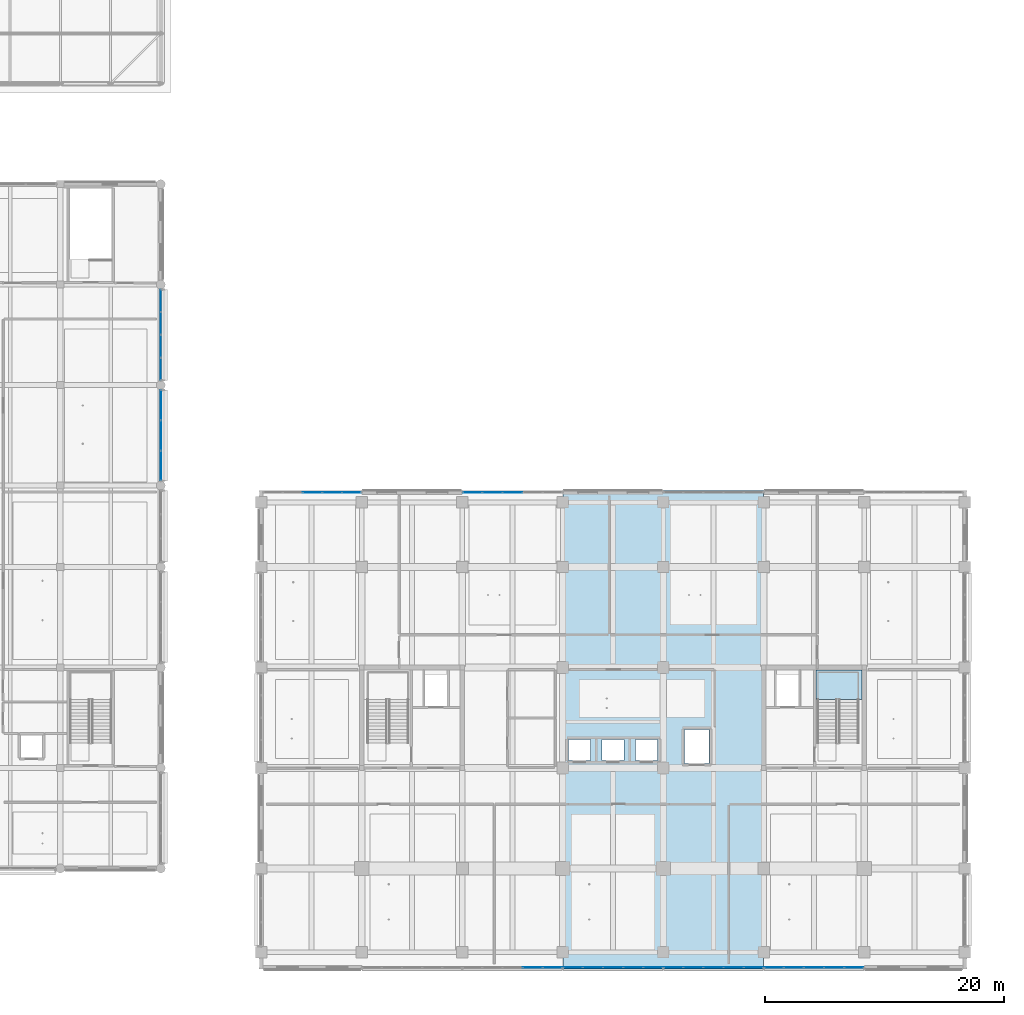
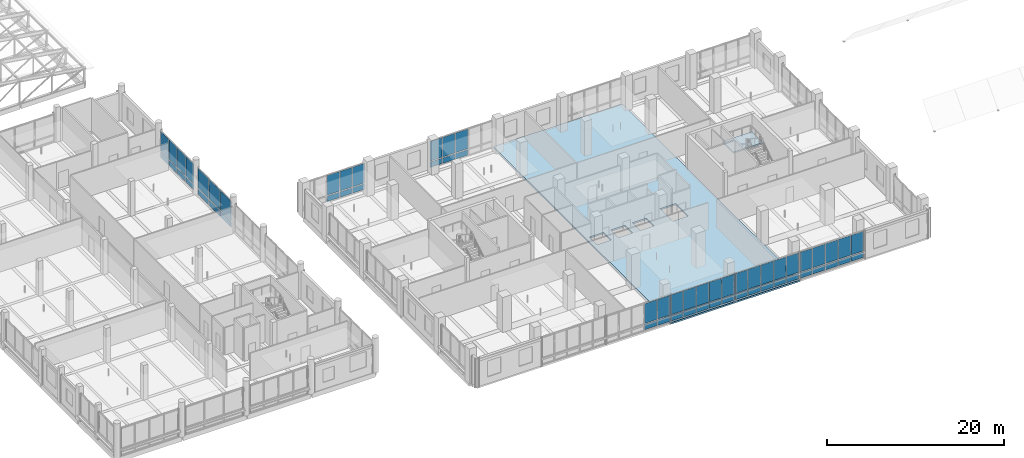
# One storey, part 44 of 122: 60 plates, 2 slabs, 9 elements without a shape of their own.
"""IFC4 building model written with IfcOpenShell, lengths in metres."""

from ifc_helpers import new_model, si_unit, direction, frame, origin, origin_2d, place, context, subcontext, project, spatial, polyline, rectangle, outline, extrude, material, layer, layer_set, type_object, element, aggregate, save


model = new_model("IFC4")

# Units and contexts
model_context = context("Model", 3, precision=1e-05, world=origin(), true_north=direction((0.0, 1.0)))
body_context = subcontext(model_context, "Body", "Model", "MODEL_VIEW")
ifc_project = project(units=[si_unit("LENGTHUNIT", "METRE"), si_unit("AREAUNIT", "SQUARE_METRE"), si_unit("VOLUMEUNIT", "CUBIC_METRE"), si_unit("PLANEANGLEUNIT", "RADIAN"), si_unit("MASSUNIT", "GRAM", prefix="KILO")], contexts=[model_context])

# Site, building, storey
site_placement = place(None, origin())
site = spatial("IfcSite", under=ifc_project, at=site_placement, CompositionType="ELEMENT")
building_placement = place(site_placement, origin())
building = spatial("IfcBuilding", under=site, at=building_placement, Name="Telukmera Botanical Conservatory", CompositionType="ELEMENT")
storey_placement = place(building_placement, frame((0.0, 0.0, 10.199951171875)))
storey = spatial("IfcBuildingStorey", under=building, at=storey_placement, Name="L02", CompositionType="ELEMENT", Elevation=10.199951171875)

# Stair, slab
ifc_material_1 = material(Name="Concrete C40/50", Category="concrete")
stair_type = type_object("IfcStairType", Name="ST-ESC-4800", PredefinedType="HALF_TURN_STAIR", material=ifc_material_1)
stair_placement = place(storey_placement, origin())
stair = element("IfcStair", 1, at=stair_placement, inside=storey, type_object=stair_type, Name="L02 Protected Escape Stair ST2", PredefinedType="HALF_TURN_STAIR")
ifc_layer_1 = layer(ifc_material_1, 0.199951171875)
ifc_layer_set_1 = layer_set([ifc_layer_1], Name="Concrete C40/50")
slab_type_1 = type_object("IfcSlabType", Name="SL-LAND-200", PredefinedType="LANDING", material=ifc_layer_set_1)
slab_1_placement = place(storey_placement, frame((0.0, 0.0, 2.199951171875)))
slab_1 = element("IfcSlab", 2, at=slab_1_placement, type_object=slab_type_1, Name="ST2 landing 1", PredefinedType="LANDING", context=body_context, shape_type="SweptSolid", body=[
    extrude(outline(polyline([(96.7548828125, 31.72998046875), (100.594970703125, 31.72998046875), (100.594970703125, 34.195068359375), (96.7548828125, 34.195068359375), (96.7548828125, 31.72998046875)])), origin(), (0.0, 0.0, 1.0), 0.2001953125),
])
aggregate(stair, [slab_1])

# Slab
ifc_layer_2 = layer(ifc_material_1, 0.219970703125)
ifc_layer_set_2 = layer_set([ifc_layer_2], Name="Concrete C40/50")
slab_type_2 = type_object("IfcSlabType", Name="Slab_FS22", PredefinedType="FLOOR", material=ifc_layer_set_2)
slab_2_placement = place(storey_placement, frame((0.0, 0.0, -0.219970703125)))
element("IfcSlab", 3, at=slab_2_placement, inside=storey, type_object=slab_type_2, Name="Tower Floor Slab L02 (CENT)", PredefinedType="FLOOR", context=body_context, shape_type="SweptSolid", body=[
    extrude(outline(polyline([(75.60009765625, 9.199951171875), (92.39990234375, 9.199951171875), (92.39990234375, 49.199951171875), (75.60009765625, 49.199951171875), (75.60009765625, 9.199951171875)]), holes=[polyline([(85.780029296875, 26.3798828125), (87.820068359375, 26.3798828125), (87.820068359375, 29.219970703125), (85.780029296875, 29.219970703125), (85.780029296875, 26.3798828125)]), polyline([(76.080078125, 26.6298828125), (77.919921875, 26.6298828125), (77.919921875, 28.3701171875), (76.080078125, 28.3701171875), (76.080078125, 26.6298828125)]), polyline([(78.8798828125, 26.6298828125), (80.719970703125, 26.6298828125), (80.719970703125, 28.3701171875), (78.8798828125, 28.3701171875), (78.8798828125, 26.6298828125)]), polyline([(81.679931640625, 26.6298828125), (83.52001953125, 26.6298828125), (83.52001953125, 28.3701171875), (81.679931640625, 28.3701171875), (81.679931640625, 26.6298828125)])]), origin(), (0.0, 0.0, 1.0), 0.219970703125),
])

# Curtain wall, plates
ifc_material_2 = material(Name="Anodised aluminium 6063-T6", Category="aluminium")
ifc_layer_3 = layer(ifc_material_2, 0.179931640625)
ifc_layer_set_3 = layer_set([ifc_layer_3], Name="Anodised aluminium 6063-T6")
curtain_wall_type_1 = type_object("IfcCurtainWallType", Name="Visitor Gallery Second Floor Curtain Wall 2400 Mod", PredefinedType="USERDEFINED", material=ifc_layer_set_3)
curtain_wall_1_placement = place(storey_placement, origin())
curtain_wall_1 = element("IfcCurtainWall", 4, at=curtain_wall_1_placement, inside=storey, type_object=curtain_wall_type_1, Name="Unitised Curtain Wall CW09 V3:L02:E5", ObjectType="UNITISED CURTAIN WALL", PredefinedType="USERDEFINED")
ifc_material_3 = material(Name="Spectrally selective low-E double glazing", Category="glass")
ifc_layer_4 = layer(ifc_material_3, 0.0380859375)
ifc_layer_set_4 = layer_set([ifc_layer_4], Name="Spectrally selective low-E double glazing")
plate_type_1 = type_object("IfcPlateType", Name="Solar Control Fritted Spandrel Glazing Panel 38", PredefinedType="CURTAIN_PANEL", material=ifc_layer_set_4)
plate_1_placement = place(storey_placement, frame((42.0, 51.267578125, 0.130126953125), z_axis=(0.0, 0.0, 1.0), x_axis=(0.0, 1.0, 0.0)))
plate_1 = element("IfcPlate", 5, at=plate_1_placement, type_object=plate_type_1, Name="CW09 panel 1.1", PredefinedType="CURTAIN_PANEL", context=body_context, shape_type="SweptSolid", body=[
    extrude(rectangle(XDim=2.451171875, YDim=0.0380859375, at=origin_2d()), origin(), (0.0, 0.0, 1.0), 0.7548828125),
])
plate_2_placement = place(storey_placement, frame((42.0, 51.267578125, 1.014892578125), z_axis=(0.0, 0.0, 1.0), x_axis=(0.0, 1.0, 0.0)))
plate_2 = element("IfcPlate", 6, at=plate_2_placement, type_object=plate_type_1, Name="CW09 panel 1.2", PredefinedType="CURTAIN_PANEL", context=body_context, shape_type="SweptSolid", body=[
    extrude(rectangle(XDim=2.451171875, YDim=0.0380859375, at=origin_2d()), origin(), (0.0, 0.0, 1.0), 2.705078125),
])
plate_3_placement = place(storey_placement, frame((42.0, 53.800048828125, 0.130126953125), z_axis=(0.0, 0.0, 1.0), x_axis=(0.0, 1.0, 0.0)))
plate_3 = element("IfcPlate", 7, at=plate_3_placement, type_object=plate_type_1, Name="CW09 panel 2.1", PredefinedType="CURTAIN_PANEL", context=body_context, shape_type="SweptSolid", body=[
    extrude(rectangle(XDim=2.483642578125, YDim=0.0380859375, at=origin_2d()), origin(), (0.0, 0.0, 1.0), 0.7548828125),
])
plate_4_placement = place(storey_placement, frame((42.0, 53.800048828125, 1.014892578125), z_axis=(0.0, 0.0, 1.0), x_axis=(0.0, 1.0, 0.0)))
plate_4 = element("IfcPlate", 8, at=plate_4_placement, type_object=plate_type_1, Name="CW09 panel 2.2", PredefinedType="CURTAIN_PANEL", context=body_context, shape_type="SweptSolid", body=[
    extrude(rectangle(XDim=2.483642578125, YDim=0.0380859375, at=origin_2d()), origin(), (0.0, 0.0, 1.0), 2.705078125),
])
plate_5_placement = place(storey_placement, frame((42.0, 56.33251953125, 0.130126953125), z_axis=(0.0, 0.0, 1.0), x_axis=(0.0, 1.0, 0.0)))
plate_5 = element("IfcPlate", 9, at=plate_5_placement, type_object=plate_type_1, Name="CW09 panel 3.1", PredefinedType="CURTAIN_PANEL", context=body_context, shape_type="SweptSolid", body=[
    extrude(rectangle(XDim=2.451171875, YDim=0.0380859375, at=origin_2d()), origin(), (0.0, 0.0, 1.0), 0.7548828125),
])
plate_6_placement = place(storey_placement, frame((42.0, 56.33251953125, 1.014892578125), z_axis=(0.0, 0.0, 1.0), x_axis=(0.0, 1.0, 0.0)))
plate_6 = element("IfcPlate", 10, at=plate_6_placement, type_object=plate_type_1, Name="CW09 panel 3.2", PredefinedType="CURTAIN_PANEL", context=body_context, shape_type="SweptSolid", body=[
    extrude(rectangle(XDim=2.451171875, YDim=0.0380859375, at=origin_2d()), origin(), (0.0, 0.0, 1.0), 2.705078125),
])
aggregate(curtain_wall_1, [plate_1, plate_2, plate_3, plate_4, plate_5, plate_6])

ifc_layer_5 = layer(ifc_material_2, 0.179931640625)
ifc_layer_set_5 = layer_set([ifc_layer_5], Name="Anodised aluminium 6063-T6")
curtain_wall_type_2 = type_object("IfcCurtainWallType", Name="Visitor Gallery First Floor Curtain Wall 1800 Mod", PredefinedType="USERDEFINED", material=ifc_layer_set_5)
curtain_wall_2_placement = place(storey_placement, origin())
curtain_wall_2 = element("IfcCurtainWall", 11, at=curtain_wall_2_placement, inside=storey, type_object=curtain_wall_type_2, Name="Unitised Curtain Wall CW08 V3:L02:E6", ObjectType="UNITISED CURTAIN WALL", PredefinedType="USERDEFINED")
ifc_layer_6 = layer(ifc_material_3, 0.028076171875)
ifc_layer_set_6 = layer_set([ifc_layer_6], Name="Spectrally selective low-E double glazing")
plate_type_2 = type_object("IfcPlateType", Name="Spectrally Selective Vision Double Glazing Panel 28", PredefinedType="CURTAIN_PANEL", material=ifc_layer_set_6)
plate_7_placement = place(storey_placement, frame((42.0, 59.34912109375, 0.130126953125), z_axis=(0.0, 0.0, 1.0), x_axis=(0.0, 1.0, 0.0)))
plate_7 = element("IfcPlate", 12, at=plate_7_placement, type_object=plate_type_2, Name="CW08 panel 1.1", PredefinedType="CURTAIN_PANEL", context=body_context, shape_type="SweptSolid", body=[
    extrude(rectangle(XDim=1.81396484375, YDim=0.028076171875, at=origin_2d()), origin(), (0.0, 0.0, 1.0), 0.7548828125),
])
plate_8_placement = place(storey_placement, frame((42.0, 59.34912109375, 1.014892578125), z_axis=(0.0, 0.0, 1.0), x_axis=(0.0, 1.0, 0.0)))
plate_8 = element("IfcPlate", 13, at=plate_8_placement, type_object=plate_type_2, Name="CW08 panel 1.2", PredefinedType="CURTAIN_PANEL", context=body_context, shape_type="SweptSolid", body=[
    extrude(rectangle(XDim=1.81396484375, YDim=0.028076171875, at=origin_2d()), origin(), (0.0, 0.0, 1.0), 2.705078125),
])
plate_9_placement = place(storey_placement, frame((42.0, 61.244140625, 0.130126953125), z_axis=(0.0, 0.0, 1.0), x_axis=(0.0, 1.0, 0.0)))
plate_9 = element("IfcPlate", 14, at=plate_9_placement, type_object=plate_type_2, Name="CW08 panel 2.1", PredefinedType="CURTAIN_PANEL", context=body_context, shape_type="SweptSolid", body=[
    extrude(rectangle(XDim=1.846435546875, YDim=0.028076171875, at=origin_2d()), origin(), (0.0, 0.0, 1.0), 0.7548828125),
])
plate_10_placement = place(storey_placement, frame((42.0, 61.244140625, 1.014892578125), z_axis=(0.0, 0.0, 1.0), x_axis=(0.0, 1.0, 0.0)))
plate_10 = element("IfcPlate", 15, at=plate_10_placement, type_object=plate_type_2, Name="CW08 panel 2.2", PredefinedType="CURTAIN_PANEL", context=body_context, shape_type="SweptSolid", body=[
    extrude(rectangle(XDim=1.846435546875, YDim=0.028076171875, at=origin_2d()), origin(), (0.0, 0.0, 1.0), 2.705078125),
])
plate_11_placement = place(storey_placement, frame((42.0, 63.15576171875, 0.130126953125), z_axis=(0.0, 0.0, 1.0), x_axis=(0.0, 1.0, 0.0)))
plate_11 = element("IfcPlate", 16, at=plate_11_placement, type_object=plate_type_2, Name="CW08 panel 3.1", PredefinedType="CURTAIN_PANEL", context=body_context, shape_type="SweptSolid", body=[
    extrude(rectangle(XDim=1.846435546875, YDim=0.028076171875, at=origin_2d()), origin(), (0.0, 0.0, 1.0), 0.7548828125),
])
plate_12_placement = place(storey_placement, frame((42.0, 63.15576171875, 1.014892578125), z_axis=(0.0, 0.0, 1.0), x_axis=(0.0, 1.0, 0.0)))
plate_12 = element("IfcPlate", 17, at=plate_12_placement, type_object=plate_type_2, Name="CW08 panel 3.2", PredefinedType="CURTAIN_PANEL", context=body_context, shape_type="SweptSolid", body=[
    extrude(rectangle(XDim=1.846435546875, YDim=0.028076171875, at=origin_2d()), origin(), (0.0, 0.0, 1.0), 2.705078125),
])
plate_13_placement = place(storey_placement, frame((42.0, 65.051025390625, 0.130126953125), z_axis=(0.0, 0.0, 1.0), x_axis=(0.0, 1.0, 0.0)))
plate_13 = element("IfcPlate", 18, at=plate_13_placement, type_object=plate_type_2, Name="CW08 panel 4.1", PredefinedType="CURTAIN_PANEL", context=body_context, shape_type="SweptSolid", body=[
    extrude(rectangle(XDim=1.81396484375, YDim=0.028076171875, at=origin_2d()), origin(), (0.0, 0.0, 1.0), 0.7548828125),
])
plate_14_placement = place(storey_placement, frame((42.0, 65.051025390625, 1.014892578125), z_axis=(0.0, 0.0, 1.0), x_axis=(0.0, 1.0, 0.0)))
plate_14 = element("IfcPlate", 19, at=plate_14_placement, type_object=plate_type_2, Name="CW08 panel 4.2", PredefinedType="CURTAIN_PANEL", context=body_context, shape_type="SweptSolid", body=[
    extrude(rectangle(XDim=1.81396484375, YDim=0.028076171875, at=origin_2d()), origin(), (0.0, 0.0, 1.0), 2.705078125),
])
aggregate(curtain_wall_2, [plate_7, plate_8, plate_9, plate_10, plate_11, plate_12, plate_13, plate_14])

ifc_layer_7 = layer(ifc_material_2, 0.179931640625)
ifc_layer_set_7 = layer_set([ifc_layer_7], Name="Anodised aluminium 6063-T6")
curtain_wall_type_3 = type_object("IfcCurtainWallType", Name="Tower Reference Library Curtain Wall", PredefinedType="USERDEFINED", material=ifc_layer_set_7)
curtain_wall_3_placement = place(storey_placement, origin())
curtain_wall_3 = element("IfcCurtainWall", 20, at=curtain_wall_3_placement, inside=storey, type_object=curtain_wall_type_3, Name="Unitised Curtain Wall CW13 V4:L02:S3", ObjectType="UNITISED CURTAIN WALL", PredefinedType="USERDEFINED")
plate_15_placement = place(storey_placement, frame((73.0791015625, 9.320068359375, 0.130126953125), z_axis=(0.0, 0.0, 1.0), x_axis=(1.0, 0.0, 0.0)))
plate_15 = element("IfcPlate", 21, at=plate_15_placement, type_object=plate_type_2, Name="CW13 panel 4.1", PredefinedType="CURTAIN_PANEL", context=body_context, shape_type="SweptSolid", body=[
    extrude(rectangle(XDim=1.6142578125, YDim=0.028076171875, at=origin_2d()), origin(), (0.0, 0.0, 1.0), 0.7548828125),
])
plate_16_placement = place(storey_placement, frame((73.0791015625, 9.320068359375, 1.014892578125), z_axis=(0.0, 0.0, 1.0), x_axis=(1.0, 0.0, 0.0)))
plate_16 = element("IfcPlate", 22, at=plate_16_placement, type_object=plate_type_2, Name="CW13 panel 4.2", PredefinedType="CURTAIN_PANEL", context=body_context, shape_type="SweptSolid", body=[
    extrude(rectangle(XDim=1.6142578125, YDim=0.028076171875, at=origin_2d()), origin(), (0.0, 0.0, 1.0), 2.705078125),
])
plate_17_placement = place(storey_placement, frame((74.7421875, 9.320068359375, 0.130126953125), z_axis=(0.0, 0.0, 1.0), x_axis=(1.0, 0.0, 0.0)))
plate_17 = element("IfcPlate", 23, at=plate_17_placement, type_object=plate_type_2, Name="CW13 panel 5.1", PredefinedType="CURTAIN_PANEL", context=body_context, shape_type="SweptSolid", body=[
    extrude(rectangle(XDim=1.581787109375, YDim=0.028076171875, at=origin_2d()), origin(), (0.0, 0.0, 1.0), 0.7548828125),
])
plate_18_placement = place(storey_placement, frame((74.7421875, 9.320068359375, 1.014892578125), z_axis=(0.0, 0.0, 1.0), x_axis=(1.0, 0.0, 0.0)))
plate_18 = element("IfcPlate", 24, at=plate_18_placement, type_object=plate_type_2, Name="CW13 panel 5.2", PredefinedType="CURTAIN_PANEL", context=body_context, shape_type="SweptSolid", body=[
    extrude(rectangle(XDim=1.581787109375, YDim=0.028076171875, at=origin_2d()), origin(), (0.0, 0.0, 1.0), 2.705078125),
])
aggregate(curtain_wall_3, [plate_15, plate_16, plate_17, plate_18])

curtain_wall_4_placement = place(storey_placement, origin())
curtain_wall_4 = element("IfcCurtainWall", 25, at=curtain_wall_4_placement, inside=storey, type_object=curtain_wall_type_3, Name="Unitised Curtain Wall CW13 V4:L02:S4", ObjectType="UNITISED CURTAIN WALL", PredefinedType="USERDEFINED")
plate_19_placement = place(storey_placement, frame((76.457763671875, 9.320068359375, 0.130126953125), z_axis=(0.0, 0.0, 1.0), x_axis=(1.0, 0.0, 0.0)))
plate_19 = element("IfcPlate", 26, at=plate_19_placement, type_object=plate_type_2, Name="CW13 panel 1.1", PredefinedType="CURTAIN_PANEL", context=body_context, shape_type="SweptSolid", body=[
    extrude(rectangle(XDim=1.581787109375, YDim=0.028076171875, at=origin_2d()), origin(), (0.0, 0.0, 1.0), 0.7548828125),
])
plate_20_placement = place(storey_placement, frame((76.457763671875, 9.320068359375, 1.014892578125), z_axis=(0.0, 0.0, 1.0), x_axis=(1.0, 0.0, 0.0)))
plate_20 = element("IfcPlate", 27, at=plate_20_placement, type_object=plate_type_2, Name="CW13 panel 1.2", PredefinedType="CURTAIN_PANEL", context=body_context, shape_type="SweptSolid", body=[
    extrude(rectangle(XDim=1.581787109375, YDim=0.028076171875, at=origin_2d()), origin(), (0.0, 0.0, 1.0), 2.705078125),
])
plate_21_placement = place(storey_placement, frame((78.120849609375, 9.320068359375, 0.130126953125), z_axis=(0.0, 0.0, 1.0), x_axis=(1.0, 0.0, 0.0)))
plate_21 = element("IfcPlate", 28, at=plate_21_placement, type_object=plate_type_2, Name="CW13 panel 2.1", PredefinedType="CURTAIN_PANEL", context=body_context, shape_type="SweptSolid", body=[
    extrude(rectangle(XDim=1.6142578125, YDim=0.028076171875, at=origin_2d()), origin(), (0.0, 0.0, 1.0), 0.7548828125),
])
plate_22_placement = place(storey_placement, frame((78.120849609375, 9.320068359375, 1.014892578125), z_axis=(0.0, 0.0, 1.0), x_axis=(1.0, 0.0, 0.0)))
plate_22 = element("IfcPlate", 29, at=plate_22_placement, type_object=plate_type_2, Name="CW13 panel 2.2", PredefinedType="CURTAIN_PANEL", context=body_context, shape_type="SweptSolid", body=[
    extrude(rectangle(XDim=1.6142578125, YDim=0.028076171875, at=origin_2d()), origin(), (0.0, 0.0, 1.0), 2.705078125),
])
plate_23_placement = place(storey_placement, frame((79.800048828125, 9.320068359375, 0.130126953125), z_axis=(0.0, 0.0, 1.0), x_axis=(1.0, 0.0, 0.0)))
plate_23 = element("IfcPlate", 30, at=plate_23_placement, type_object=plate_type_2, Name="CW13 panel 3.1", PredefinedType="CURTAIN_PANEL", context=body_context, shape_type="SweptSolid", body=[
    extrude(rectangle(XDim=1.6142578125, YDim=0.028076171875, at=origin_2d()), origin(), (0.0, 0.0, 1.0), 0.7548828125),
])
plate_24_placement = place(storey_placement, frame((79.800048828125, 9.320068359375, 1.014892578125), z_axis=(0.0, 0.0, 1.0), x_axis=(1.0, 0.0, 0.0)))
plate_24 = element("IfcPlate", 31, at=plate_24_placement, type_object=plate_type_2, Name="CW13 panel 3.2", PredefinedType="CURTAIN_PANEL", context=body_context, shape_type="SweptSolid", body=[
    extrude(rectangle(XDim=1.6142578125, YDim=0.028076171875, at=origin_2d()), origin(), (0.0, 0.0, 1.0), 2.705078125),
])
plate_25_placement = place(storey_placement, frame((81.479248046875, 9.320068359375, 0.130126953125), z_axis=(0.0, 0.0, 1.0), x_axis=(1.0, 0.0, 0.0)))
plate_25 = element("IfcPlate", 32, at=plate_25_placement, type_object=plate_type_2, Name="CW13 panel 4.1", PredefinedType="CURTAIN_PANEL", context=body_context, shape_type="SweptSolid", body=[
    extrude(rectangle(XDim=1.6142578125, YDim=0.028076171875, at=origin_2d()), origin(), (0.0, 0.0, 1.0), 0.7548828125),
])
plate_26_placement = place(storey_placement, frame((81.479248046875, 9.320068359375, 1.014892578125), z_axis=(0.0, 0.0, 1.0), x_axis=(1.0, 0.0, 0.0)))
plate_26 = element("IfcPlate", 33, at=plate_26_placement, type_object=plate_type_2, Name="CW13 panel 4.2", PredefinedType="CURTAIN_PANEL", context=body_context, shape_type="SweptSolid", body=[
    extrude(rectangle(XDim=1.6142578125, YDim=0.028076171875, at=origin_2d()), origin(), (0.0, 0.0, 1.0), 2.705078125),
])
plate_27_placement = place(storey_placement, frame((83.14208984375, 9.320068359375, 0.130126953125), z_axis=(0.0, 0.0, 1.0), x_axis=(1.0, 0.0, 0.0)))
plate_27 = element("IfcPlate", 34, at=plate_27_placement, type_object=plate_type_2, Name="CW13 panel 5.1", PredefinedType="CURTAIN_PANEL", context=body_context, shape_type="SweptSolid", body=[
    extrude(rectangle(XDim=1.581787109375, YDim=0.028076171875, at=origin_2d()), origin(), (0.0, 0.0, 1.0), 0.7548828125),
])
plate_28_placement = place(storey_placement, frame((83.14208984375, 9.320068359375, 1.014892578125), z_axis=(0.0, 0.0, 1.0), x_axis=(1.0, 0.0, 0.0)))
plate_28 = element("IfcPlate", 35, at=plate_28_placement, type_object=plate_type_2, Name="CW13 panel 5.2", PredefinedType="CURTAIN_PANEL", context=body_context, shape_type="SweptSolid", body=[
    extrude(rectangle(XDim=1.581787109375, YDim=0.028076171875, at=origin_2d()), origin(), (0.0, 0.0, 1.0), 2.705078125),
])
aggregate(curtain_wall_4, [plate_19, plate_20, plate_21, plate_22, plate_23, plate_24, plate_25, plate_26, plate_27, plate_28])

curtain_wall_5_placement = place(storey_placement, origin())
curtain_wall_5 = element("IfcCurtainWall", 36, at=curtain_wall_5_placement, inside=storey, type_object=curtain_wall_type_3, Name="Unitised Curtain Wall CW13 V4:L02:S5", ObjectType="UNITISED CURTAIN WALL", PredefinedType="USERDEFINED")
plate_29_placement = place(storey_placement, frame((84.85791015625, 9.320068359375, 0.130126953125), z_axis=(0.0, 0.0, 1.0), x_axis=(1.0, 0.0, 0.0)))
plate_29 = element("IfcPlate", 37, at=plate_29_placement, type_object=plate_type_2, Name="CW13 panel 1.1", PredefinedType="CURTAIN_PANEL", context=body_context, shape_type="SweptSolid", body=[
    extrude(rectangle(XDim=1.581787109375, YDim=0.028076171875, at=origin_2d()), origin(), (0.0, 0.0, 1.0), 0.7548828125),
])
plate_30_placement = place(storey_placement, frame((84.85791015625, 9.320068359375, 1.014892578125), z_axis=(0.0, 0.0, 1.0), x_axis=(1.0, 0.0, 0.0)))
plate_30 = element("IfcPlate", 38, at=plate_30_placement, type_object=plate_type_2, Name="CW13 panel 1.2", PredefinedType="CURTAIN_PANEL", context=body_context, shape_type="SweptSolid", body=[
    extrude(rectangle(XDim=1.581787109375, YDim=0.028076171875, at=origin_2d()), origin(), (0.0, 0.0, 1.0), 2.705078125),
])
plate_31_placement = place(storey_placement, frame((86.520751953125, 9.320068359375, 0.130126953125), z_axis=(0.0, 0.0, 1.0), x_axis=(1.0, 0.0, 0.0)))
plate_31 = element("IfcPlate", 39, at=plate_31_placement, type_object=plate_type_2, Name="CW13 panel 2.1", PredefinedType="CURTAIN_PANEL", context=body_context, shape_type="SweptSolid", body=[
    extrude(rectangle(XDim=1.6142578125, YDim=0.028076171875, at=origin_2d()), origin(), (0.0, 0.0, 1.0), 0.7548828125),
])
plate_32_placement = place(storey_placement, frame((86.520751953125, 9.320068359375, 1.014892578125), z_axis=(0.0, 0.0, 1.0), x_axis=(1.0, 0.0, 0.0)))
plate_32 = element("IfcPlate", 40, at=plate_32_placement, type_object=plate_type_2, Name="CW13 panel 2.2", PredefinedType="CURTAIN_PANEL", context=body_context, shape_type="SweptSolid", body=[
    extrude(rectangle(XDim=1.6142578125, YDim=0.028076171875, at=origin_2d()), origin(), (0.0, 0.0, 1.0), 2.705078125),
])
plate_33_placement = place(storey_placement, frame((88.199951171875, 9.320068359375, 0.130126953125), z_axis=(0.0, 0.0, 1.0), x_axis=(1.0, 0.0, 0.0)))
plate_33 = element("IfcPlate", 41, at=plate_33_placement, type_object=plate_type_2, Name="CW13 panel 3.1", PredefinedType="CURTAIN_PANEL", context=body_context, shape_type="SweptSolid", body=[
    extrude(rectangle(XDim=1.6142578125, YDim=0.028076171875, at=origin_2d()), origin(), (0.0, 0.0, 1.0), 0.7548828125),
])
plate_34_placement = place(storey_placement, frame((88.199951171875, 9.320068359375, 1.014892578125), z_axis=(0.0, 0.0, 1.0), x_axis=(1.0, 0.0, 0.0)))
plate_34 = element("IfcPlate", 42, at=plate_34_placement, type_object=plate_type_2, Name="CW13 panel 3.2", PredefinedType="CURTAIN_PANEL", context=body_context, shape_type="SweptSolid", body=[
    extrude(rectangle(XDim=1.6142578125, YDim=0.028076171875, at=origin_2d()), origin(), (0.0, 0.0, 1.0), 2.705078125),
])
plate_35_placement = place(storey_placement, frame((89.879150390625, 9.320068359375, 0.130126953125), z_axis=(0.0, 0.0, 1.0), x_axis=(1.0, 0.0, 0.0)))
plate_35 = element("IfcPlate", 43, at=plate_35_placement, type_object=plate_type_2, Name="CW13 panel 4.1", PredefinedType="CURTAIN_PANEL", context=body_context, shape_type="SweptSolid", body=[
    extrude(rectangle(XDim=1.6142578125, YDim=0.028076171875, at=origin_2d()), origin(), (0.0, 0.0, 1.0), 0.7548828125),
])
plate_36_placement = place(storey_placement, frame((89.879150390625, 9.320068359375, 1.014892578125), z_axis=(0.0, 0.0, 1.0), x_axis=(1.0, 0.0, 0.0)))
plate_36 = element("IfcPlate", 44, at=plate_36_placement, type_object=plate_type_2, Name="CW13 panel 4.2", PredefinedType="CURTAIN_PANEL", context=body_context, shape_type="SweptSolid", body=[
    extrude(rectangle(XDim=1.6142578125, YDim=0.028076171875, at=origin_2d()), origin(), (0.0, 0.0, 1.0), 2.705078125),
])
plate_37_placement = place(storey_placement, frame((91.542236328125, 9.320068359375, 0.130126953125), z_axis=(0.0, 0.0, 1.0), x_axis=(1.0, 0.0, 0.0)))
plate_37 = element("IfcPlate", 45, at=plate_37_placement, type_object=plate_type_2, Name="CW13 panel 5.1", PredefinedType="CURTAIN_PANEL", context=body_context, shape_type="SweptSolid", body=[
    extrude(rectangle(XDim=1.581787109375, YDim=0.028076171875, at=origin_2d()), origin(), (0.0, 0.0, 1.0), 0.7548828125),
])
plate_38_placement = place(storey_placement, frame((91.542236328125, 9.320068359375, 1.014892578125), z_axis=(0.0, 0.0, 1.0), x_axis=(1.0, 0.0, 0.0)))
plate_38 = element("IfcPlate", 46, at=plate_38_placement, type_object=plate_type_2, Name="CW13 panel 5.2", PredefinedType="CURTAIN_PANEL", context=body_context, shape_type="SweptSolid", body=[
    extrude(rectangle(XDim=1.581787109375, YDim=0.028076171875, at=origin_2d()), origin(), (0.0, 0.0, 1.0), 2.705078125),
])
aggregate(curtain_wall_5, [plate_29, plate_30, plate_31, plate_32, plate_33, plate_34, plate_35, plate_36, plate_37, plate_38])

curtain_wall_6_placement = place(storey_placement, origin())
curtain_wall_6 = element("IfcCurtainWall", 47, at=curtain_wall_6_placement, inside=storey, type_object=curtain_wall_type_3, Name="Unitised Curtain Wall CW13 V4:L02:S6", ObjectType="UNITISED CURTAIN WALL", PredefinedType="USERDEFINED")
plate_39_placement = place(storey_placement, frame((93.2578125, 9.320068359375, 0.130126953125), z_axis=(0.0, 0.0, 1.0), x_axis=(1.0, 0.0, 0.0)))
plate_39 = element("IfcPlate", 48, at=plate_39_placement, type_object=plate_type_2, Name="CW13 panel 1.1", PredefinedType="CURTAIN_PANEL", context=body_context, shape_type="SweptSolid", body=[
    extrude(rectangle(XDim=1.581787109375, YDim=0.028076171875, at=origin_2d()), origin(), (0.0, 0.0, 1.0), 0.7548828125),
])
plate_40_placement = place(storey_placement, frame((93.2578125, 9.320068359375, 1.014892578125), z_axis=(0.0, 0.0, 1.0), x_axis=(1.0, 0.0, 0.0)))
plate_40 = element("IfcPlate", 49, at=plate_40_placement, type_object=plate_type_2, Name="CW13 panel 1.2", PredefinedType="CURTAIN_PANEL", context=body_context, shape_type="SweptSolid", body=[
    extrude(rectangle(XDim=1.581787109375, YDim=0.028076171875, at=origin_2d()), origin(), (0.0, 0.0, 1.0), 2.705078125),
])
plate_41_placement = place(storey_placement, frame((94.9208984375, 9.320068359375, 0.130126953125), z_axis=(0.0, 0.0, 1.0), x_axis=(1.0, 0.0, 0.0)))
plate_41 = element("IfcPlate", 50, at=plate_41_placement, type_object=plate_type_2, Name="CW13 panel 2.1", PredefinedType="CURTAIN_PANEL", context=body_context, shape_type="SweptSolid", body=[
    extrude(rectangle(XDim=1.6142578125, YDim=0.028076171875, at=origin_2d()), origin(), (0.0, 0.0, 1.0), 0.7548828125),
])
plate_42_placement = place(storey_placement, frame((94.9208984375, 9.320068359375, 1.014892578125), z_axis=(0.0, 0.0, 1.0), x_axis=(1.0, 0.0, 0.0)))
plate_42 = element("IfcPlate", 51, at=plate_42_placement, type_object=plate_type_2, Name="CW13 panel 2.2", PredefinedType="CURTAIN_PANEL", context=body_context, shape_type="SweptSolid", body=[
    extrude(rectangle(XDim=1.6142578125, YDim=0.028076171875, at=origin_2d()), origin(), (0.0, 0.0, 1.0), 2.705078125),
])
plate_43_placement = place(storey_placement, frame((96.60009765625, 9.320068359375, 0.130126953125), z_axis=(0.0, 0.0, 1.0), x_axis=(1.0, 0.0, 0.0)))
plate_43 = element("IfcPlate", 52, at=plate_43_placement, type_object=plate_type_2, Name="CW13 panel 3.1", PredefinedType="CURTAIN_PANEL", context=body_context, shape_type="SweptSolid", body=[
    extrude(rectangle(XDim=1.6142578125, YDim=0.028076171875, at=origin_2d()), origin(), (0.0, 0.0, 1.0), 0.7548828125),
])
plate_44_placement = place(storey_placement, frame((96.60009765625, 9.320068359375, 1.014892578125), z_axis=(0.0, 0.0, 1.0), x_axis=(1.0, 0.0, 0.0)))
plate_44 = element("IfcPlate", 53, at=plate_44_placement, type_object=plate_type_2, Name="CW13 panel 3.2", PredefinedType="CURTAIN_PANEL", context=body_context, shape_type="SweptSolid", body=[
    extrude(rectangle(XDim=1.6142578125, YDim=0.028076171875, at=origin_2d()), origin(), (0.0, 0.0, 1.0), 2.705078125),
])
plate_45_placement = place(storey_placement, frame((98.279296875, 9.320068359375, 0.130126953125), z_axis=(0.0, 0.0, 1.0), x_axis=(1.0, 0.0, 0.0)))
plate_45 = element("IfcPlate", 54, at=plate_45_placement, type_object=plate_type_2, Name="CW13 panel 4.1", PredefinedType="CURTAIN_PANEL", context=body_context, shape_type="SweptSolid", body=[
    extrude(rectangle(XDim=1.6142578125, YDim=0.028076171875, at=origin_2d()), origin(), (0.0, 0.0, 1.0), 0.7548828125),
])
plate_46_placement = place(storey_placement, frame((98.279296875, 9.320068359375, 1.014892578125), z_axis=(0.0, 0.0, 1.0), x_axis=(1.0, 0.0, 0.0)))
plate_46 = element("IfcPlate", 55, at=plate_46_placement, type_object=plate_type_2, Name="CW13 panel 4.2", PredefinedType="CURTAIN_PANEL", context=body_context, shape_type="SweptSolid", body=[
    extrude(rectangle(XDim=1.6142578125, YDim=0.028076171875, at=origin_2d()), origin(), (0.0, 0.0, 1.0), 2.705078125),
])
plate_47_placement = place(storey_placement, frame((99.942138671875, 9.320068359375, 0.130126953125), z_axis=(0.0, 0.0, 1.0), x_axis=(1.0, 0.0, 0.0)))
plate_47 = element("IfcPlate", 56, at=plate_47_placement, type_object=plate_type_2, Name="CW13 panel 5.1", PredefinedType="CURTAIN_PANEL", context=body_context, shape_type="SweptSolid", body=[
    extrude(rectangle(XDim=1.581787109375, YDim=0.028076171875, at=origin_2d()), origin(), (0.0, 0.0, 1.0), 0.7548828125),
])
plate_48_placement = place(storey_placement, frame((99.942138671875, 9.320068359375, 1.014892578125), z_axis=(0.0, 0.0, 1.0), x_axis=(1.0, 0.0, 0.0)))
plate_48 = element("IfcPlate", 57, at=plate_48_placement, type_object=plate_type_2, Name="CW13 panel 5.2", PredefinedType="CURTAIN_PANEL", context=body_context, shape_type="SweptSolid", body=[
    extrude(rectangle(XDim=1.581787109375, YDim=0.028076171875, at=origin_2d()), origin(), (0.0, 0.0, 1.0), 2.705078125),
])
aggregate(curtain_wall_6, [plate_39, plate_40, plate_41, plate_42, plate_43, plate_44, plate_45, plate_46, plate_47, plate_48])

curtain_wall_7_placement = place(storey_placement, origin())
curtain_wall_7 = element("IfcCurtainWall", 58, at=curtain_wall_7_placement, inside=storey, type_object=curtain_wall_type_3, Name="Unitised Curtain Wall CW13 V4:L02:N1", ObjectType="UNITISED CURTAIN WALL", PredefinedType="USERDEFINED")
plate_49_placement = place(storey_placement, frame((54.675048828125, 49.02001953125, 0.130126953125), z_axis=(0.0, 0.0, 1.0), x_axis=(1.0, 0.0, 0.0)))
plate_49 = element("IfcPlate", 59, at=plate_49_placement, type_object=plate_type_2, Name="CW13 panel 3.1", PredefinedType="CURTAIN_PANEL", context=body_context, shape_type="SweptSolid", body=[
    extrude(rectangle(XDim=1.584228515625, YDim=0.028076171875, at=origin_2d()), origin(), (0.0, 0.0, 1.0), 0.7548828125),
])
plate_50_placement = place(storey_placement, frame((54.675048828125, 49.02001953125, 1.014892578125), z_axis=(0.0, 0.0, 1.0), x_axis=(1.0, 0.0, 0.0)))
plate_50 = element("IfcPlate", 60, at=plate_50_placement, type_object=plate_type_2, Name="CW13 panel 3.2", PredefinedType="CURTAIN_PANEL", context=body_context, shape_type="SweptSolid", body=[
    extrude(rectangle(XDim=1.584228515625, YDim=0.028076171875, at=origin_2d()), origin(), (0.0, 0.0, 1.0), 2.705078125),
])
plate_51_placement = place(storey_placement, frame((56.32421875, 49.02001953125, 0.130126953125), z_axis=(0.0, 0.0, 1.0), x_axis=(1.0, 0.0, 0.0)))
plate_51 = element("IfcPlate", 61, at=plate_51_placement, type_object=plate_type_2, Name="CW13 panel 4.1", PredefinedType="CURTAIN_PANEL", context=body_context, shape_type="SweptSolid", body=[
    extrude(rectangle(XDim=1.584228515625, YDim=0.028076171875, at=origin_2d()), origin(), (0.0, 0.0, 1.0), 0.7548828125),
])
plate_52_placement = place(storey_placement, frame((56.32421875, 49.02001953125, 1.014892578125), z_axis=(0.0, 0.0, 1.0), x_axis=(1.0, 0.0, 0.0)))
plate_52 = element("IfcPlate", 62, at=plate_52_placement, type_object=plate_type_2, Name="CW13 panel 4.2", PredefinedType="CURTAIN_PANEL", context=body_context, shape_type="SweptSolid", body=[
    extrude(rectangle(XDim=1.584228515625, YDim=0.028076171875, at=origin_2d()), origin(), (0.0, 0.0, 1.0), 2.705078125),
])
plate_53_placement = place(storey_placement, frame((57.95703125, 49.02001953125, 0.130126953125), z_axis=(0.0, 0.0, 1.0), x_axis=(1.0, 0.0, 0.0)))
plate_53 = element("IfcPlate", 63, at=plate_53_placement, type_object=plate_type_2, Name="CW13 panel 5.1", PredefinedType="CURTAIN_PANEL", context=body_context, shape_type="SweptSolid", body=[
    extrude(rectangle(XDim=1.5517578125, YDim=0.028076171875, at=origin_2d()), origin(), (0.0, 0.0, 1.0), 0.7548828125),
])
plate_54_placement = place(storey_placement, frame((57.95703125, 49.02001953125, 1.014892578125), z_axis=(0.0, 0.0, 1.0), x_axis=(1.0, 0.0, 0.0)))
plate_54 = element("IfcPlate", 64, at=plate_54_placement, type_object=plate_type_2, Name="CW13 panel 5.2", PredefinedType="CURTAIN_PANEL", context=body_context, shape_type="SweptSolid", body=[
    extrude(rectangle(XDim=1.5517578125, YDim=0.028076171875, at=origin_2d()), origin(), (0.0, 0.0, 1.0), 2.705078125),
])
aggregate(curtain_wall_7, [plate_49, plate_50, plate_51, plate_52, plate_53, plate_54])

curtain_wall_8_placement = place(storey_placement, origin())
curtain_wall_8 = element("IfcCurtainWall", 65, at=curtain_wall_8_placement, inside=storey, type_object=curtain_wall_type_3, Name="Unitised Curtain Wall CW13 V4:L02:N3", ObjectType="UNITISED CURTAIN WALL", PredefinedType="USERDEFINED")
plate_55_placement = place(storey_placement, frame((68.057861328125, 49.02001953125, 0.130126953125), z_axis=(0.0, 0.0, 1.0), x_axis=(1.0, 0.0, 0.0)))
plate_55 = element("IfcPlate", 66, at=plate_55_placement, type_object=plate_type_2, Name="CW13 panel 1.1", PredefinedType="CURTAIN_PANEL", context=body_context, shape_type="SweptSolid", body=[
    extrude(rectangle(XDim=1.581787109375, YDim=0.028076171875, at=origin_2d()), origin(), (0.0, 0.0, 1.0), 0.7548828125),
])
plate_56_placement = place(storey_placement, frame((68.057861328125, 49.02001953125, 1.014892578125), z_axis=(0.0, 0.0, 1.0), x_axis=(1.0, 0.0, 0.0)))
plate_56 = element("IfcPlate", 67, at=plate_56_placement, type_object=plate_type_2, Name="CW13 panel 1.2", PredefinedType="CURTAIN_PANEL", context=body_context, shape_type="SweptSolid", body=[
    extrude(rectangle(XDim=1.581787109375, YDim=0.028076171875, at=origin_2d()), origin(), (0.0, 0.0, 1.0), 2.705078125),
])
plate_57_placement = place(storey_placement, frame((69.720703125, 49.02001953125, 0.130126953125), z_axis=(0.0, 0.0, 1.0), x_axis=(1.0, 0.0, 0.0)))
plate_57 = element("IfcPlate", 68, at=plate_57_placement, type_object=plate_type_2, Name="CW13 panel 2.1", PredefinedType="CURTAIN_PANEL", context=body_context, shape_type="SweptSolid", body=[
    extrude(rectangle(XDim=1.6142578125, YDim=0.028076171875, at=origin_2d()), origin(), (0.0, 0.0, 1.0), 0.7548828125),
])
plate_58_placement = place(storey_placement, frame((69.720703125, 49.02001953125, 1.014892578125), z_axis=(0.0, 0.0, 1.0), x_axis=(1.0, 0.0, 0.0)))
plate_58 = element("IfcPlate", 69, at=plate_58_placement, type_object=plate_type_2, Name="CW13 panel 2.2", PredefinedType="CURTAIN_PANEL", context=body_context, shape_type="SweptSolid", body=[
    extrude(rectangle(XDim=1.6142578125, YDim=0.028076171875, at=origin_2d()), origin(), (0.0, 0.0, 1.0), 2.705078125),
])
plate_59_placement = place(storey_placement, frame((71.39990234375, 49.02001953125, 0.130126953125), z_axis=(0.0, 0.0, 1.0), x_axis=(1.0, 0.0, 0.0)))
plate_59 = element("IfcPlate", 70, at=plate_59_placement, type_object=plate_type_2, Name="CW13 panel 3.1", PredefinedType="CURTAIN_PANEL", context=body_context, shape_type="SweptSolid", body=[
    extrude(rectangle(XDim=1.6142578125, YDim=0.028076171875, at=origin_2d()), origin(), (0.0, 0.0, 1.0), 0.7548828125),
])
plate_60_placement = place(storey_placement, frame((71.39990234375, 49.02001953125, 1.014892578125), z_axis=(0.0, 0.0, 1.0), x_axis=(1.0, 0.0, 0.0)))
plate_60 = element("IfcPlate", 71, at=plate_60_placement, type_object=plate_type_2, Name="CW13 panel 3.2", PredefinedType="CURTAIN_PANEL", context=body_context, shape_type="SweptSolid", body=[
    extrude(rectangle(XDim=1.6142578125, YDim=0.028076171875, at=origin_2d()), origin(), (0.0, 0.0, 1.0), 2.705078125),
])
aggregate(curtain_wall_8, [plate_55, plate_56, plate_57, plate_58, plate_59, plate_60])

save(model, "model.ifc")
